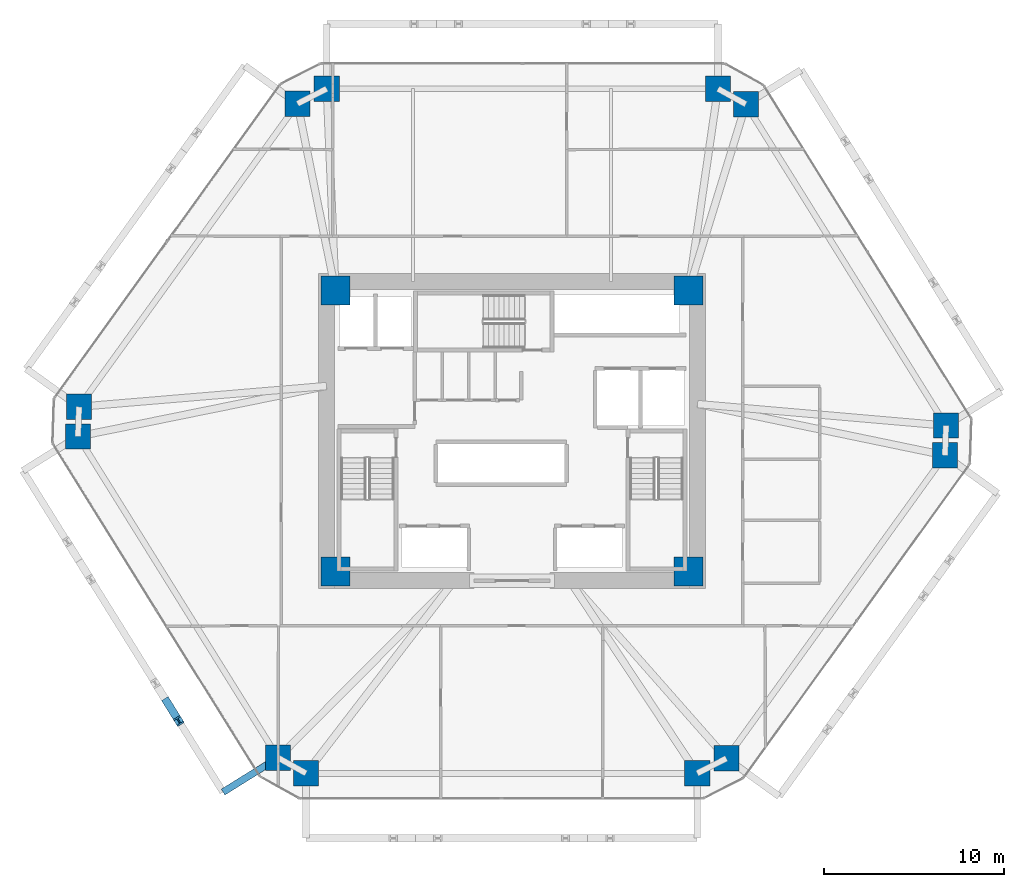
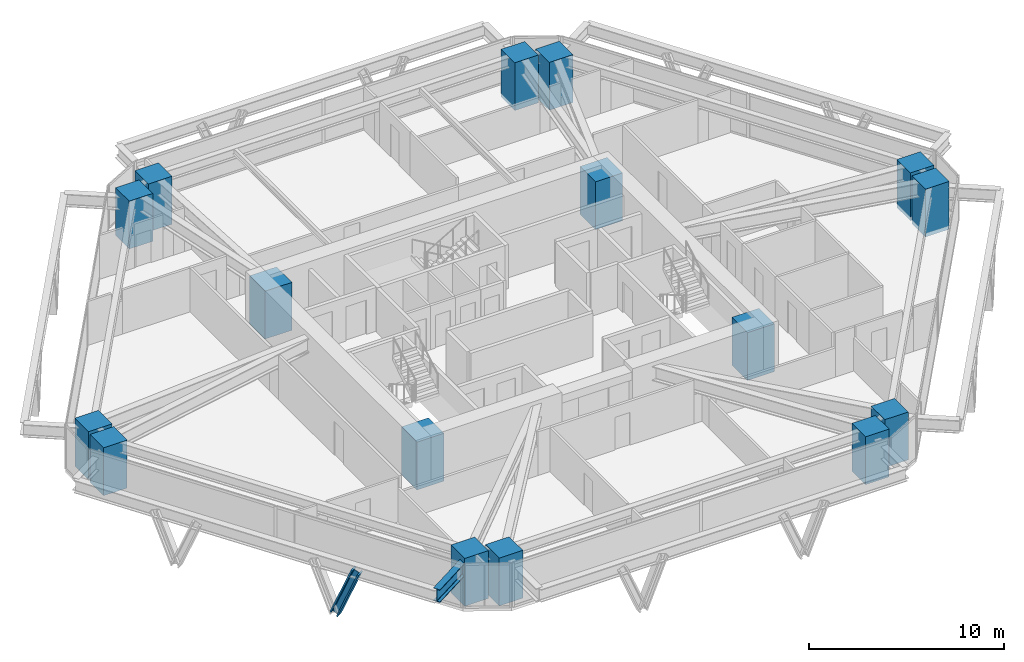
# One storey, part 1 of 15: 16 columns, 1 beam, 1 member.
"""IFC4 building model written with IfcOpenShell, lengths in metres."""

from ifc_helpers import new_model, si_unit, direction, frame, origin, origin_2d, place, context, subcontext, project, spatial, rectangle, i_section, extrude, source, transform, mapped, material, material_profile, profile_set, type_object, type_shapes, element, save


model = new_model("IFC4")

# Units and contexts
model_context = context("Model", 3, precision=1e-05, world=origin(), true_north=direction((0.0, 1.0)))
body_context = subcontext(model_context, "Body", "Model", "MODEL_VIEW")
ifc_project = project(units=[si_unit("LENGTHUNIT", "METRE"), si_unit("AREAUNIT", "SQUARE_METRE"), si_unit("VOLUMEUNIT", "CUBIC_METRE"), si_unit("PLANEANGLEUNIT", "RADIAN"), si_unit("MASSUNIT", "GRAM", prefix="KILO")], contexts=[model_context])

# Site, building, storey
site_placement = place(None, origin())
site = spatial("IfcSite", under=ifc_project, at=site_placement, CompositionType="ELEMENT")
building_placement = place(site_placement, origin())
building = spatial("IfcBuilding", under=site, at=building_placement, Name="Durnholm Broadcast Tower", CompositionType="ELEMENT")
storey_placement = place(building_placement, frame((0.0, 0.0, 81.300048828125)))
storey = spatial("IfcBuildingStorey", under=building, at=storey_placement, Name="L21", CompositionType="ELEMENT", Elevation=81.300048828125)

# Columns
ifc_material_1 = material(Name="Concrete C70/85", Category="concrete")
ifc_material_profile_1 = material_profile(ifc_material_1, rectangle(XDim=1.60009765625, YDim=1.60009765625, at=origin_2d()), Name="RC1600X1600")
ifc_profile_set_1 = profile_set([ifc_material_profile_1], Name="Concrete C70/85")
column_type_1 = type_object("IfcColumnType", Name="COL-CC-1600", PredefinedType="COLUMN", material=ifc_profile_set_1)
shared_shape_1 = source(origin(), body_context, "Body", "SweptSolid", [
    extrude(rectangle(XDim=1.60009765625, YDim=1.60009765625, at=origin_2d()), origin(), (0.0, 0.0, 1.0), 3.0),
])
type_shapes(column_type_1, [shared_shape_1])
for number, where, z_axis, x_axis, name in (
    (1, (-9.800048828125, -7.800048828125, -0.239990234375), (0.0, 0.0, 1.0), (1.0, 0.0, 0.0), "L21 core corner column 1"),
    (2, (9.800048828125, -7.800048828125, -0.239990234375), (0.0, 0.0, 1.0), (1.0, 0.0, 0.0), "L21 core corner column 2"),
    (3, (9.800048828125, 7.800048828125, -0.239990234375), (0.0, 0.0, 1.0), (1.0, 0.0, 0.0), "L21 core corner column 3"),
    (4, (-9.800048828125, 7.800048828125, -0.239990234375), (0.0, 0.0, 1.0), (1.0, 0.0, 0.0), "L21 core corner column 4"),
):
    element("IfcColumn", number, at=place(storey_placement, frame(where, z_axis=z_axis, x_axis=x_axis)), inside=storey, type_object=column_type_1, Name=name, PredefinedType="COLUMN", context=body_context, shape_type="MappedRepresentation", body=[
        mapped(shared_shape_1, transform((0.0, 0.0, 0.0), x_axis=(1.0, 0.0, 0.0), y_axis=(0.0, 1.0, 0.0), z_axis=(0.0, 0.0, 1.0), scale=1.0)),
    ])
ifc_material_profile_2 = material_profile(ifc_material_1, rectangle(XDim=1.39990234375, YDim=1.39990234375, at=origin_2d()), Name="RC1400X1400")
ifc_profile_set_2 = profile_set([ifc_material_profile_2], Name="Concrete C70/85")
column_type_2 = type_object("IfcColumnType", Name="COL-CC-1400", PredefinedType="COLUMN", material=ifc_profile_set_2)
shared_shape_2 = source(origin(), body_context, "Body", "SweptSolid", [
    extrude(rectangle(XDim=1.39990234375, YDim=1.39990234375, at=origin_2d()), origin(), (0.0, 0.0, 1.0), 3.0),
])
type_shapes(column_type_2, [shared_shape_2])
for number, where, z_axis, x_axis, name in (
    (5, (-12.982666015625, -18.138427734375, -0.239990234375), (0.0, 0.0, 1.0), (1.0, 0.0, 0.0), "L21 perimeter hexagonal tube column 01"),
    (6, (-24.0908203125, -0.2998046875, -0.239990234375), (0.0, 0.0, 1.0), (1.0, 0.0, 0.0), "L21 perimeter hexagonal tube column 02"),
    (7, (-24.034912109375, 1.347412109375, -0.239990234375), (0.0, 0.0, 1.0), (1.0, 0.0, 0.0), "L21 perimeter hexagonal tube column 03"),
    (8, (-11.907470703125, 18.16845703125, -0.239990234375), (0.0, 0.0, 1.0), (1.0, 0.0, 0.0), "L21 perimeter hexagonal tube column 04"),
    (9, (-10.28271484375, 19.0, -0.239990234375), (0.0, 0.0, 1.0), (1.0, 0.0, 0.0), "L21 perimeter hexagonal tube column 05"),
    (10, (11.43115234375, 19.0, -0.239990234375), (0.0, 0.0, 1.0), (1.0, 0.0, 0.0), "L21 perimeter hexagonal tube column 06"),
    (11, (12.982666015625, 18.138427734375, -0.239990234375), (0.0, 0.0, 1.0), (1.0, 0.0, 0.0), "L21 perimeter hexagonal tube column 07"),
    (12, (24.0908203125, 0.2998046875, -0.239990234375), (0.0, 0.0, 1.0), (1.0, 0.0, 0.0), "L21 perimeter hexagonal tube column 08"),
    (13, (24.034912109375, -1.347412109375, -0.239990234375), (0.0, 0.0, 1.0), (1.0, 0.0, 0.0), "L21 perimeter hexagonal tube column 09"),
    (14, (11.907470703125, -18.16845703125, -0.239990234375), (0.0, 0.0, 1.0), (1.0, 0.0, 0.0), "L21 perimeter hexagonal tube column 10"),
    (15, (10.28271484375, -19.0, -0.239990234375), (0.0, 0.0, 1.0), (1.0, 0.0, 0.0), "L21 perimeter hexagonal tube column 11"),
    (16, (-11.43115234375, -19.0, -0.239990234375), (0.0, 0.0, 1.0), (1.0, 0.0, 0.0), "L21 perimeter hexagonal tube column 12"),
):
    element("IfcColumn", number, at=place(storey_placement, frame(where, z_axis=z_axis, x_axis=x_axis)), inside=storey, type_object=column_type_2, Name=name, PredefinedType="COLUMN", context=body_context, shape_type="MappedRepresentation", body=[
        mapped(shared_shape_2, transform((0.0, 0.0, 0.0), x_axis=(1.0, 0.0, 0.0), y_axis=(0.0, 1.0, 0.0), z_axis=(0.0, 0.0, 1.0), scale=1.0)),
    ])

# Beam
ifc_material_2 = material(Name="Steel ASTM A992 Grade 50", Category="steel")
ifc_material_profile_3 = material_profile(ifc_material_2, i_section(OverallWidth=0.385009765625, OverallDepth=0.802978515625, WebThickness=0.023681640625, FlangeThickness=0.0419921875, FilletRadius=0.032958984375, at=origin_2d()), Name="W30X261")
ifc_profile_set_3 = profile_set([ifc_material_profile_3], Name="Steel ASTM A992 Grade 50")
beam_type = type_object("IfcBeamType", Name="BM-EXO-TIE", PredefinedType="USERDEFINED", material=ifc_profile_set_3)
shared_shape_3 = source(origin(), body_context, "Body", "SweptSolid", [
    extrude(i_section(OverallWidth=0.385009765625, OverallDepth=0.802978515625, WebThickness=0.023681640625, FlangeThickness=0.0419921875, FilletRadius=0.032958984375, at=origin_2d()), origin(), (0.0, 0.0, 1.0), 3.4560546875),
])
type_shapes(beam_type, [shared_shape_3])
beam_placement = place(storey_placement, frame((-13.10498046875, -18.214599609375, 2.008544921875), z_axis=(-0.848854443891, -0.528626648105, 0.0), x_axis=(0.528626648105, -0.848854443891, 0.0)))
element("IfcBeam", 17, at=beam_placement, inside=storey, type_object=beam_type, Name="L21 exoskeleton stand-off tie bracket F6.2", ObjectType="GIRDER", PredefinedType="USERDEFINED", context=body_context, shape_type="MappedRepresentation", body=[
    mapped(shared_shape_3, transform((0.0, 0.0, 0.0), x_axis=(1.0, 0.0, 0.0), y_axis=(0.0, 1.0, 0.0), z_axis=(0.0, 0.0, 1.0), scale=1.0)),
])

# Member
ifc_material_3 = material(Name="Steel ASTM A913 Grade 65", Category="steel")
ifc_material_profile_4 = material_profile(ifc_material_3, i_section(OverallWidth=0.43212890625, OverallDepth=0.497802734375, WebThickness=0.0556640625, FlangeThickness=0.0888671875, FilletRadius=0.030517578125, at=origin_2d()), Name="W14X500")
ifc_profile_set_4 = profile_set([ifc_material_profile_4], Name="Steel ASTM A913 Grade 65")
member_type = type_object("IfcMemberType", Name="STL-DG-W14X500", PredefinedType="BRACE", material=ifc_profile_set_4)
shared_shape_4 = source(origin(), body_context, "Body", "SweptSolid", [
    extrude(i_section(OverallWidth=0.43212890625, OverallDepth=0.497802734375, WebThickness=0.0556640625, FlangeThickness=0.0888671875, FilletRadius=0.030517578125, at=origin_2d()), origin(), (0.0, 0.0, 1.0), 3.243896484375),
])
type_shapes(member_type, [shared_shape_4])
member_placement = place(storey_placement, frame((-19.14892578125, -15.04638671875, -0.991455078125), z_axis=(0.201029867597, -0.322882116058, 0.9248427604), x_axis=(0.848908635391, 0.528539618911, 0.0)))
element("IfcMember", 18, at=member_placement, inside=storey, type_object=member_type, Name="L21 stand-off diagrid brace F6.D2.2", PredefinedType="BRACE", context=body_context, shape_type="MappedRepresentation", body=[
    mapped(shared_shape_4, transform((0.0, 0.0, 0.0), x_axis=(1.0, 0.0, 0.0), y_axis=(0.0, 1.0, 0.0), z_axis=(0.0, 0.0, 1.0), scale=1.0)),
])

save(model, "model.ifc")
